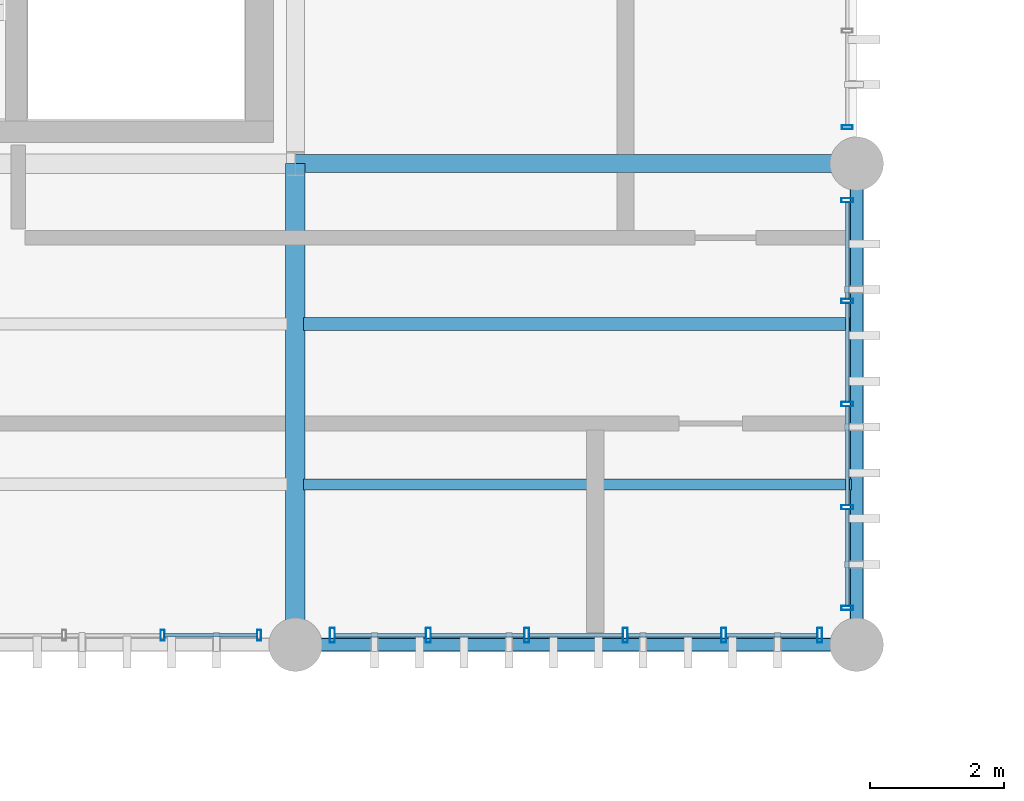
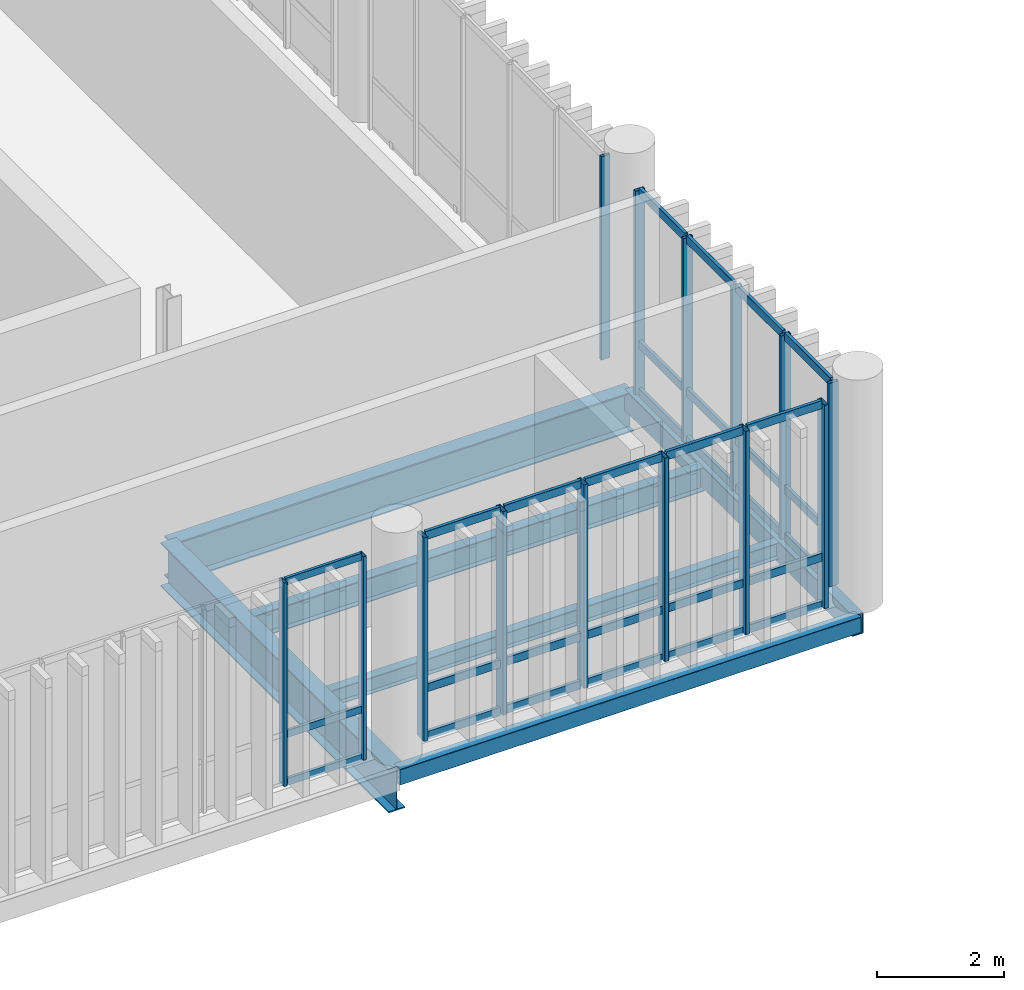
# One storey, part 30 of 68: 44 members, 6 beams, 4 elements without a shape of their own.
"""IFC4 building model written with IfcOpenShell, lengths in metres."""

from ifc_helpers import new_model, si_unit, direction, frame, origin_with_axes, origin_2d_with_axis, place, context, subcontext, project, spatial, hollow_rectangle, i_section, extrude, material, material_profile, profile_set, type_object, element, aggregate, save


model = new_model("IFC4")

# Units and contexts
model_context = context("Model", 3, precision=1e-05, world=origin_with_axes(), true_north=direction((0.0, 1.0)))
body_context = subcontext(model_context, "Body", "Model", "MODEL_VIEW")
ifc_project = project(units=[si_unit("LENGTHUNIT", "METRE"), si_unit("AREAUNIT", "SQUARE_METRE"), si_unit("VOLUMEUNIT", "CUBIC_METRE"), si_unit("PLANEANGLEUNIT", "RADIAN"), si_unit("MASSUNIT", "GRAM", prefix="KILO"), si_unit("THERMODYNAMICTEMPERATUREUNIT", "KELVIN")], contexts=[model_context])

# Site, building, storey
site_placement = place(None, origin_with_axes())
site = spatial("IfcSite", under=ifc_project, at=site_placement, CompositionType="ELEMENT")
building_placement = place(site_placement, origin_with_axes())
building = spatial("IfcBuilding", under=site, at=building_placement, Name="Montbau Bow Law Courts", CompositionType="ELEMENT")
storey_placement = place(building_placement, frame((0.0, 0.0, 20.4), z_axis=(0.0, 0.0, 1.0), x_axis=(1.0, 0.0, 0.0)))
storey = spatial("IfcBuildingStorey", under=building, at=storey_placement, Name="L04", CompositionType="ELEMENT", Elevation=20.4)

# Beams
ifc_material_1 = material(Name="Steel CSA G40.21 Grade 350W (350 MPa)", Category="steel")
ifc_material_profile_1 = material_profile(ifc_material_1, i_section(OverallWidth=0.293, OverallDepth=0.846, WebThickness=0.0154, FlangeThickness=0.0244, at=origin_2d_with_axis()), Name="W840X210", Category="Main", Priority=0)
ifc_profile_set_1 = profile_set([ifc_material_profile_1], Name="Steel CSA G40.21 Grade 350W (350 MPa)")
beam_type_1 = type_object("IfcBeamType", Name="B-FLR-02", PredefinedType="BEAM", material=ifc_profile_set_1)
beam_1_placement = place(None, frame((88.8, 39.0, 19.697), z_axis=(0.0, 1.0, 0.0), x_axis=(-1.0, 0.0, 0.0)))
element("IfcBeam", 1, at=beam_1_placement, inside=storey, type_object=beam_type_1, Name="BM-L04-S0951:bm2_0954", PredefinedType="BEAM", context=body_context, shape_type="SweptSolid", body=[
    extrude(i_section(OverallWidth=0.293, OverallDepth=0.846, WebThickness=0.0154, FlangeThickness=0.0244, at=origin_2d_with_axis()), origin_with_axes(), (0.0, 0.0, 1.0), 7.2),
])
ifc_material_profile_2 = material_profile(ifc_material_1, i_section(OverallWidth=0.267, OverallDepth=0.766, WebThickness=0.0149, FlangeThickness=0.0236, at=origin_2d_with_axis()), Name="W760X185", Category="Main", Priority=0)
ifc_profile_set_2 = profile_set([ifc_material_profile_2], Name="Steel CSA G40.21 Grade 350W (350 MPa)")
beam_type_2 = type_object("IfcBeamType", Name="B-FLR-03", PredefinedType="BEAM", material=ifc_profile_set_2)
beam_2_placement = place(None, frame((88.8, 46.2, 19.737), z_axis=(1.0, 0.0, 0.0), x_axis=(0.0, 1.0, 0.0)))
element("IfcBeam", 2, at=beam_2_placement, inside=storey, type_object=beam_type_2, Name="BM-L04-S0926:bm2_0929", PredefinedType="BEAM", context=body_context, shape_type="SweptSolid", body=[
    extrude(i_section(OverallWidth=0.267, OverallDepth=0.766, WebThickness=0.0149, FlangeThickness=0.0236, at=origin_2d_with_axis()), origin_with_axes(), (0.0, 0.0, 1.0), 8.4),
])
ifc_material_profile_3 = material_profile(ifc_material_1, i_section(OverallWidth=0.191, OverallDepth=0.46, WebThickness=0.0099, FlangeThickness=0.016, at=origin_2d_with_axis()), Name="W460X82", Category="Main", Priority=0)
ifc_profile_set_3 = profile_set([ifc_material_profile_3], Name="Steel CSA G40.21 Grade 350W (350 MPa)")
beam_type_3 = type_object("IfcBeamType", Name="B-JST-01", PredefinedType="JOIST", material=ifc_profile_set_3)
beam_3_placement = place(None, frame((88.922, 43.8, 19.89), z_axis=(1.0, 0.0, 0.0), x_axis=(0.0, 1.0, 0.0)))
element("IfcBeam", 3, at=beam_3_placement, inside=storey, type_object=beam_type_3, Name="JST-L04-S0492:jst2_0492", PredefinedType="JOIST", context=body_context, shape_type="SweptSolid", body=[
    extrude(i_section(OverallWidth=0.191, OverallDepth=0.46, WebThickness=0.0099, FlangeThickness=0.016, at=origin_2d_with_axis()), origin_with_axes(), (0.0, 0.0, 1.0), 8.198),
])
ifc_material_profile_4 = material_profile(ifc_material_1, i_section(OverallWidth=0.166, OverallDepth=0.313, WebThickness=0.0066, FlangeThickness=0.0112, at=origin_2d_with_axis()), Name="W310X45", Category="Main", Priority=0)
ifc_profile_set_4 = profile_set([ifc_material_profile_4], Name="Steel CSA G40.21 Grade 350W (350 MPa)")
beam_type_4 = type_object("IfcBeamType", Name="B-JST-04", PredefinedType="JOIST", material=ifc_profile_set_4)
beam_4_placement = place(None, frame((88.922, 41.4, 19.963), z_axis=(1.0, 0.0, 0.0), x_axis=(0.0, 1.0, 0.0)))
element("IfcBeam", 4, at=beam_4_placement, inside=storey, type_object=beam_type_4, Name="JST-L04-S0491:jst2_0491", PredefinedType="JOIST", context=body_context, shape_type="SweptSolid", body=[
    extrude(i_section(OverallWidth=0.166, OverallDepth=0.313, WebThickness=0.0066, FlangeThickness=0.0112, at=origin_2d_with_axis()), origin_with_axes(), (0.0, 0.0, 1.0), 8.198),
])
ifc_material_2 = material(Name="Steel CSA G40.21 Grade 350WT (350 MPa)", Category="steel")
ifc_material_profile_5 = material_profile(ifc_material_2, hollow_rectangle(XDim=0.203, YDim=0.406, WallThickness=0.0127, InnerFilletRadius=0.0254, OuterFilletRadius=0.0127, at=origin_2d_with_axis()), Name="HSS406X203X13", Category="Main", Priority=0)
ifc_profile_set_5 = profile_set([ifc_material_profile_5], Name="Steel CSA G40.21 Grade 350WT (350 MPa)")
beam_type_5 = type_object("IfcBeamType", Name="B-SPN-01", PredefinedType="SPANDREL", material=ifc_profile_set_5)
beam_5_placement = place(None, frame((97.2, 39.0, 19.917), z_axis=(0.0, 1.0, 0.0), x_axis=(-1.0, 0.0, 0.0)))
element("IfcBeam", 5, at=beam_5_placement, inside=storey, type_object=beam_type_5, Name="SPN-L04-S0954:bm2_0957", PredefinedType="SPANDREL", context=body_context, shape_type="SweptSolid", body=[
    extrude(hollow_rectangle(XDim=0.203, YDim=0.406, WallThickness=0.0127, InnerFilletRadius=0.0254, OuterFilletRadius=0.0127, at=origin_2d_with_axis()), origin_with_axes(), (0.0, 0.0, 1.0), 7.2),
])
ifc_material_profile_6 = material_profile(ifc_material_2, hollow_rectangle(XDim=0.203, YDim=0.305, WallThickness=0.0127, InnerFilletRadius=0.0254, OuterFilletRadius=0.0127, at=origin_2d_with_axis()), Name="HSS305X203X13", Category="Main", Priority=0)
ifc_profile_set_6 = profile_set([ifc_material_profile_6], Name="Steel CSA G40.21 Grade 350WT (350 MPa)")
beam_type_6 = type_object("IfcBeamType", Name="B-SPN-02", PredefinedType="SPANDREL", material=ifc_profile_set_6)
beam_6_placement = place(None, frame((88.8, 39.0, 19.968), z_axis=(1.0, 0.0, 0.0), x_axis=(0.0, 1.0, 0.0)))
element("IfcBeam", 6, at=beam_6_placement, inside=storey, type_object=beam_type_6, Name="SPN-L04-S0920:bm2_0923", PredefinedType="SPANDREL", context=body_context, shape_type="SweptSolid", body=[
    extrude(hollow_rectangle(XDim=0.203, YDim=0.305, WallThickness=0.0127, InnerFilletRadius=0.0254, OuterFilletRadius=0.0127, at=origin_2d_with_axis()), origin_with_axes(), (0.0, 0.0, 1.0), 8.4),
])

# Curtain wall, members
ifc_material_3 = material(Name="Thermally Broken Extruded Aluminium AA 6063-T6", Category="aluminium")
curtain_wall_type = type_object("IfcCurtainWallType", Name="CW-CRM-01", PredefinedType="NOTDEFINED", material=ifc_material_3)
curtain_wall_1_placement = place(None, frame((89.315, 39.14, 20.4), z_axis=(0.0, 0.0, 1.0), x_axis=(1.0, 0.0, 0.0)))
curtain_wall_1 = element("IfcCurtainWall", 7, at=curtain_wall_1_placement, inside=storey, type_object=curtain_wall_type, Name="CW-L04-198:cw_0198", PredefinedType="NOTDEFINED")
ifc_material_profile_7 = material_profile(ifc_material_3, hollow_rectangle(XDim=0.075, YDim=0.22, WallThickness=0.005, InnerFilletRadius=0.01, OuterFilletRadius=0.005, at=origin_2d_with_axis()), Name="CWM-220X75", Category="Main", Priority=0)
ifc_profile_set_7 = profile_set([ifc_material_profile_7], Name="Thermally Broken Extruded Aluminium AA 6063-T6")
member_type_1 = type_object("IfcMemberType", Name="M-MUL-01", PredefinedType="MULLION", material=ifc_profile_set_7)
member_1_placement = place(None, frame((89.352, 39.14, 20.4), z_axis=(0.0, 0.0, 1.0), x_axis=(1.0, 0.0, 0.0)))
member_1 = element("IfcMember", 8, at=member_1_placement, type_object=member_type_1, Name="CW-L04-198-M01:cw_0198_M01", PredefinedType="MULLION", context=body_context, shape_type="SweptSolid", body=[
    extrude(hollow_rectangle(XDim=0.075, YDim=0.22, WallThickness=0.005, InnerFilletRadius=0.01, OuterFilletRadius=0.005, at=origin_2d_with_axis()), origin_with_axes(), (0.0, 0.0, 1.0), 3.92),
])
member_2_placement = place(None, frame((90.789, 39.14, 20.4), z_axis=(0.0, 0.0, 1.0), x_axis=(1.0, 0.0, 0.0)))
member_2 = element("IfcMember", 9, at=member_2_placement, type_object=member_type_1, Name="CW-L04-198-M02:cw_0198_M02", PredefinedType="MULLION", context=body_context, shape_type="SweptSolid", body=[
    extrude(hollow_rectangle(XDim=0.075, YDim=0.22, WallThickness=0.005, InnerFilletRadius=0.01, OuterFilletRadius=0.005, at=origin_2d_with_axis()), origin_with_axes(), (0.0, 0.0, 1.0), 3.92),
])
member_3_placement = place(None, frame((92.263, 39.14, 20.4), z_axis=(0.0, 0.0, 1.0), x_axis=(1.0, 0.0, 0.0)))
member_3 = element("IfcMember", 10, at=member_3_placement, type_object=member_type_1, Name="CW-L04-198-M03:cw_0198_M03", PredefinedType="MULLION", context=body_context, shape_type="SweptSolid", body=[
    extrude(hollow_rectangle(XDim=0.075, YDim=0.22, WallThickness=0.005, InnerFilletRadius=0.01, OuterFilletRadius=0.005, at=origin_2d_with_axis()), origin_with_axes(), (0.0, 0.0, 1.0), 3.92),
])
member_4_placement = place(None, frame((93.737, 39.14, 20.4), z_axis=(0.0, 0.0, 1.0), x_axis=(1.0, 0.0, 0.0)))
member_4 = element("IfcMember", 11, at=member_4_placement, type_object=member_type_1, Name="CW-L04-198-M04:cw_0198_M04", PredefinedType="MULLION", context=body_context, shape_type="SweptSolid", body=[
    extrude(hollow_rectangle(XDim=0.075, YDim=0.22, WallThickness=0.005, InnerFilletRadius=0.01, OuterFilletRadius=0.005, at=origin_2d_with_axis()), origin_with_axes(), (0.0, 0.0, 1.0), 3.92),
])
member_5_placement = place(None, frame((95.211, 39.14, 20.4), z_axis=(0.0, 0.0, 1.0), x_axis=(1.0, 0.0, 0.0)))
member_5 = element("IfcMember", 12, at=member_5_placement, type_object=member_type_1, Name="CW-L04-198-M05:cw_0198_M05", PredefinedType="MULLION", context=body_context, shape_type="SweptSolid", body=[
    extrude(hollow_rectangle(XDim=0.075, YDim=0.22, WallThickness=0.005, InnerFilletRadius=0.01, OuterFilletRadius=0.005, at=origin_2d_with_axis()), origin_with_axes(), (0.0, 0.0, 1.0), 3.92),
])
member_6_placement = place(None, frame((96.648, 39.14, 20.4), z_axis=(0.0, 0.0, 1.0), x_axis=(1.0, 0.0, 0.0)))
member_6 = element("IfcMember", 13, at=member_6_placement, type_object=member_type_1, Name="CW-L04-198-M06:cw_0198_M06", PredefinedType="MULLION", context=body_context, shape_type="SweptSolid", body=[
    extrude(hollow_rectangle(XDim=0.075, YDim=0.22, WallThickness=0.005, InnerFilletRadius=0.01, OuterFilletRadius=0.005, at=origin_2d_with_axis()), origin_with_axes(), (0.0, 0.0, 1.0), 3.92),
])

curtain_wall_2_placement = place(None, frame((97.06, 39.515, 20.4), z_axis=(0.0, 0.0, 1.0), x_axis=(1.0, 0.0, 0.0)))
curtain_wall_2 = element("IfcCurtainWall", 14, at=curtain_wall_2_placement, inside=storey, type_object=curtain_wall_type, Name="CW-L04-208:cw_0208", PredefinedType="NOTDEFINED")
ifc_material_profile_8 = material_profile(ifc_material_3, hollow_rectangle(XDim=0.065, YDim=0.18, WallThickness=0.005, InnerFilletRadius=0.01, OuterFilletRadius=0.005, at=origin_2d_with_axis()), Name="CWM-180X65", Category="Main", Priority=0)
ifc_profile_set_8 = profile_set([ifc_material_profile_8], Name="Thermally Broken Extruded Aluminium AA 6063-T6")
member_type_2 = type_object("IfcMemberType", Name="M-MUL-02", PredefinedType="MULLION", material=ifc_profile_set_8)
member_7_placement = place(None, frame((97.06, 39.548, 20.4), z_axis=(0.0, 0.0, 1.0), x_axis=(0.0, 1.0, 0.0)))
member_7 = element("IfcMember", 15, at=member_7_placement, type_object=member_type_2, Name="CW-L04-208-M01:cw_0208_M01", PredefinedType="MULLION", context=body_context, shape_type="SweptSolid", body=[
    extrude(hollow_rectangle(XDim=0.065, YDim=0.18, WallThickness=0.005, InnerFilletRadius=0.01, OuterFilletRadius=0.005, at=origin_2d_with_axis()), origin_with_axes(), (0.0, 0.0, 1.0), 3.92),
])
member_8_placement = place(None, frame((97.06, 41.058, 20.4), z_axis=(0.0, 0.0, 1.0), x_axis=(0.0, 1.0, 0.0)))
member_8 = element("IfcMember", 16, at=member_8_placement, type_object=member_type_2, Name="CW-L04-208-M02:cw_0208_M02", PredefinedType="MULLION", context=body_context, shape_type="SweptSolid", body=[
    extrude(hollow_rectangle(XDim=0.065, YDim=0.18, WallThickness=0.005, InnerFilletRadius=0.01, OuterFilletRadius=0.005, at=origin_2d_with_axis()), origin_with_axes(), (0.0, 0.0, 1.0), 3.92),
])
member_9_placement = place(None, frame((97.06, 42.6, 20.4), z_axis=(0.0, 0.0, 1.0), x_axis=(0.0, 1.0, 0.0)))
member_9 = element("IfcMember", 17, at=member_9_placement, type_object=member_type_2, Name="CW-L04-208-M03:cw_0208_M03", PredefinedType="MULLION", context=body_context, shape_type="SweptSolid", body=[
    extrude(hollow_rectangle(XDim=0.065, YDim=0.18, WallThickness=0.005, InnerFilletRadius=0.01, OuterFilletRadius=0.005, at=origin_2d_with_axis()), origin_with_axes(), (0.0, 0.0, 1.0), 3.92),
])
member_10_placement = place(None, frame((97.06, 44.143, 20.4), z_axis=(0.0, 0.0, 1.0), x_axis=(0.0, 1.0, 0.0)))
member_10 = element("IfcMember", 18, at=member_10_placement, type_object=member_type_2, Name="CW-L04-208-M04:cw_0208_M04", PredefinedType="MULLION", context=body_context, shape_type="SweptSolid", body=[
    extrude(hollow_rectangle(XDim=0.065, YDim=0.18, WallThickness=0.005, InnerFilletRadius=0.01, OuterFilletRadius=0.005, at=origin_2d_with_axis()), origin_with_axes(), (0.0, 0.0, 1.0), 3.92),
])
member_11_placement = place(None, frame((97.06, 45.653, 20.4), z_axis=(0.0, 0.0, 1.0), x_axis=(0.0, 1.0, 0.0)))
member_11 = element("IfcMember", 19, at=member_11_placement, type_object=member_type_2, Name="CW-L04-208-M05:cw_0208_M05", PredefinedType="MULLION", context=body_context, shape_type="SweptSolid", body=[
    extrude(hollow_rectangle(XDim=0.065, YDim=0.18, WallThickness=0.005, InnerFilletRadius=0.01, OuterFilletRadius=0.005, at=origin_2d_with_axis()), origin_with_axes(), (0.0, 0.0, 1.0), 3.92),
])

curtain_wall_3_placement = place(None, frame((80.915, 39.14, 20.4), z_axis=(0.0, 0.0, 1.0), x_axis=(1.0, 0.0, 0.0)))
curtain_wall_3 = element("IfcCurtainWall", 20, at=curtain_wall_3_placement, inside=storey, type_object=curtain_wall_type, Name="CW-L04-197:cw_0197", PredefinedType="NOTDEFINED")
ifc_material_profile_9 = material_profile(ifc_material_3, hollow_rectangle(XDim=0.06, YDim=0.16, WallThickness=0.004, InnerFilletRadius=0.008, OuterFilletRadius=0.004, at=origin_2d_with_axis()), Name="CWM-160X60", Category="Main", Priority=0)
ifc_profile_set_9 = profile_set([ifc_material_profile_9], Name="Thermally Broken Extruded Aluminium AA 6063-T6")
member_type_3 = type_object("IfcMemberType", Name="M-MUL-03", PredefinedType="MULLION", material=ifc_profile_set_9)
member_12_placement = place(None, frame((86.811, 39.14, 20.4), z_axis=(0.0, 0.0, 1.0), x_axis=(1.0, 0.0, 0.0)))
member_12 = element("IfcMember", 21, at=member_12_placement, type_object=member_type_3, Name="CW-L04-197-M05:cw_0197_M05", PredefinedType="MULLION", context=body_context, shape_type="SweptSolid", body=[
    extrude(hollow_rectangle(XDim=0.06, YDim=0.16, WallThickness=0.004, InnerFilletRadius=0.008, OuterFilletRadius=0.004, at=origin_2d_with_axis()), origin_with_axes(), (0.0, 0.0, 1.0), 3.92),
])
member_13_placement = place(None, frame((88.255, 39.14, 20.4), z_axis=(0.0, 0.0, 1.0), x_axis=(1.0, 0.0, 0.0)))
member_13 = element("IfcMember", 22, at=member_13_placement, type_object=member_type_3, Name="CW-L04-197-M06:cw_0197_M06", PredefinedType="MULLION", context=body_context, shape_type="SweptSolid", body=[
    extrude(hollow_rectangle(XDim=0.06, YDim=0.16, WallThickness=0.004, InnerFilletRadius=0.008, OuterFilletRadius=0.004, at=origin_2d_with_axis()), origin_with_axes(), (0.0, 0.0, 1.0), 3.92),
])

# Curtain wall, member
curtain_wall_4_placement = place(None, frame((97.06, 46.715, 20.4), z_axis=(0.0, 0.0, 1.0), x_axis=(1.0, 0.0, 0.0)))
curtain_wall_4 = element("IfcCurtainWall", 23, at=curtain_wall_4_placement, inside=storey, type_object=curtain_wall_type, Name="CW-L04-209:cw_0209", PredefinedType="NOTDEFINED")
member_14_placement = place(None, frame((97.06, 46.745, 20.4), z_axis=(0.0, 0.0, 1.0), x_axis=(0.0, 1.0, 0.0)))
member_14 = element("IfcMember", 24, at=member_14_placement, type_object=member_type_3, Name="CW-L04-209-M01:cw_0209_M01", PredefinedType="MULLION", context=body_context, shape_type="SweptSolid", body=[
    extrude(hollow_rectangle(XDim=0.06, YDim=0.16, WallThickness=0.004, InnerFilletRadius=0.008, OuterFilletRadius=0.004, at=origin_2d_with_axis()), origin_with_axes(), (0.0, 0.0, 1.0), 3.92),
])
aggregate(curtain_wall_4, [member_14])

# Member
ifc_material_profile_10 = material_profile(ifc_material_3, hollow_rectangle(XDim=0.06, YDim=0.16, WallThickness=0.004, InnerFilletRadius=0.008, OuterFilletRadius=0.004, at=origin_2d_with_axis()), Name="CWT-160X60", Category="Main", Priority=0)
ifc_profile_set_10 = profile_set([ifc_material_profile_10], Name="Thermally Broken Extruded Aluminium AA 6063-T6")
member_type_4 = type_object("IfcMemberType", Name="M-TRN-01", PredefinedType="USERDEFINED", material=ifc_profile_set_10)
member_15_placement = place(None, frame((89.391, 39.14, 20.43), z_axis=(1.0, 0.0, 0.0), x_axis=(0.0, 1.0, 0.0)))
member_15 = element("IfcMember", 25, at=member_15_placement, type_object=member_type_4, Name="CW-L04-198-T01-1:cw_0198_T01_1", ObjectType="TRANSOM", PredefinedType="USERDEFINED", context=body_context, shape_type="SweptSolid", body=[
    extrude(hollow_rectangle(XDim=0.06, YDim=0.16, WallThickness=0.004, InnerFilletRadius=0.008, OuterFilletRadius=0.004, at=origin_2d_with_axis()), origin_with_axes(), (0.0, 0.0, 1.0), 1.358),
])

member_16_placement = place(None, frame((89.391, 39.14, 21.35), z_axis=(1.0, 0.0, 0.0), x_axis=(0.0, 1.0, 0.0)))
member_16 = element("IfcMember", 26, at=member_16_placement, type_object=member_type_4, Name="CW-L04-198-T01-2:cw_0198_T01_2", ObjectType="TRANSOM", PredefinedType="USERDEFINED", context=body_context, shape_type="SweptSolid", body=[
    extrude(hollow_rectangle(XDim=0.06, YDim=0.16, WallThickness=0.004, InnerFilletRadius=0.008, OuterFilletRadius=0.004, at=origin_2d_with_axis()), origin_with_axes(), (0.0, 0.0, 1.0), 1.358),
])

member_17_placement = place(None, frame((89.391, 39.14, 24.29), z_axis=(1.0, 0.0, 0.0), x_axis=(0.0, 1.0, 0.0)))
member_17 = element("IfcMember", 27, at=member_17_placement, type_object=member_type_4, Name="CW-L04-198-T01-3:cw_0198_T01_3", ObjectType="TRANSOM", PredefinedType="USERDEFINED", context=body_context, shape_type="SweptSolid", body=[
    extrude(hollow_rectangle(XDim=0.06, YDim=0.16, WallThickness=0.004, InnerFilletRadius=0.008, OuterFilletRadius=0.004, at=origin_2d_with_axis()), origin_with_axes(), (0.0, 0.0, 1.0), 1.358),
])

member_18_placement = place(None, frame((90.829, 39.14, 20.43), z_axis=(1.0, 0.0, 0.0), x_axis=(0.0, 1.0, 0.0)))
member_18 = element("IfcMember", 28, at=member_18_placement, type_object=member_type_4, Name="CW-L04-198-T02-1:cw_0198_T02_1", ObjectType="TRANSOM", PredefinedType="USERDEFINED", context=body_context, shape_type="SweptSolid", body=[
    extrude(hollow_rectangle(XDim=0.06, YDim=0.16, WallThickness=0.004, InnerFilletRadius=0.008, OuterFilletRadius=0.004, at=origin_2d_with_axis()), origin_with_axes(), (0.0, 0.0, 1.0), 1.395),
])

member_19_placement = place(None, frame((90.829, 39.14, 21.35), z_axis=(1.0, 0.0, 0.0), x_axis=(0.0, 1.0, 0.0)))
member_19 = element("IfcMember", 29, at=member_19_placement, type_object=member_type_4, Name="CW-L04-198-T02-2:cw_0198_T02_2", ObjectType="TRANSOM", PredefinedType="USERDEFINED", context=body_context, shape_type="SweptSolid", body=[
    extrude(hollow_rectangle(XDim=0.06, YDim=0.16, WallThickness=0.004, InnerFilletRadius=0.008, OuterFilletRadius=0.004, at=origin_2d_with_axis()), origin_with_axes(), (0.0, 0.0, 1.0), 1.395),
])

member_20_placement = place(None, frame((90.829, 39.14, 24.29), z_axis=(1.0, 0.0, 0.0), x_axis=(0.0, 1.0, 0.0)))
member_20 = element("IfcMember", 30, at=member_20_placement, type_object=member_type_4, Name="CW-L04-198-T02-3:cw_0198_T02_3", ObjectType="TRANSOM", PredefinedType="USERDEFINED", context=body_context, shape_type="SweptSolid", body=[
    extrude(hollow_rectangle(XDim=0.06, YDim=0.16, WallThickness=0.004, InnerFilletRadius=0.008, OuterFilletRadius=0.004, at=origin_2d_with_axis()), origin_with_axes(), (0.0, 0.0, 1.0), 1.395),
])

member_21_placement = place(None, frame((92.302, 39.14, 20.43), z_axis=(1.0, 0.0, 0.0), x_axis=(0.0, 1.0, 0.0)))
member_21 = element("IfcMember", 31, at=member_21_placement, type_object=member_type_4, Name="CW-L04-198-T03-1:cw_0198_T03_1", ObjectType="TRANSOM", PredefinedType="USERDEFINED", context=body_context, shape_type="SweptSolid", body=[
    extrude(hollow_rectangle(XDim=0.06, YDim=0.16, WallThickness=0.004, InnerFilletRadius=0.008, OuterFilletRadius=0.004, at=origin_2d_with_axis()), origin_with_axes(), (0.0, 0.0, 1.0), 1.396),
])

member_22_placement = place(None, frame((92.302, 39.14, 21.35), z_axis=(1.0, 0.0, 0.0), x_axis=(0.0, 1.0, 0.0)))
member_22 = element("IfcMember", 32, at=member_22_placement, type_object=member_type_4, Name="CW-L04-198-T03-2:cw_0198_T03_2", ObjectType="TRANSOM", PredefinedType="USERDEFINED", context=body_context, shape_type="SweptSolid", body=[
    extrude(hollow_rectangle(XDim=0.06, YDim=0.16, WallThickness=0.004, InnerFilletRadius=0.008, OuterFilletRadius=0.004, at=origin_2d_with_axis()), origin_with_axes(), (0.0, 0.0, 1.0), 1.396),
])

member_23_placement = place(None, frame((92.302, 39.14, 24.29), z_axis=(1.0, 0.0, 0.0), x_axis=(0.0, 1.0, 0.0)))
member_23 = element("IfcMember", 33, at=member_23_placement, type_object=member_type_4, Name="CW-L04-198-T03-3:cw_0198_T03_3", ObjectType="TRANSOM", PredefinedType="USERDEFINED", context=body_context, shape_type="SweptSolid", body=[
    extrude(hollow_rectangle(XDim=0.06, YDim=0.16, WallThickness=0.004, InnerFilletRadius=0.008, OuterFilletRadius=0.004, at=origin_2d_with_axis()), origin_with_axes(), (0.0, 0.0, 1.0), 1.396),
])

member_24_placement = place(None, frame((93.776, 39.14, 20.43), z_axis=(1.0, 0.0, 0.0), x_axis=(0.0, 1.0, 0.0)))
member_24 = element("IfcMember", 34, at=member_24_placement, type_object=member_type_4, Name="CW-L04-198-T04-1:cw_0198_T04_1", ObjectType="TRANSOM", PredefinedType="USERDEFINED", context=body_context, shape_type="SweptSolid", body=[
    extrude(hollow_rectangle(XDim=0.06, YDim=0.16, WallThickness=0.004, InnerFilletRadius=0.008, OuterFilletRadius=0.004, at=origin_2d_with_axis()), origin_with_axes(), (0.0, 0.0, 1.0), 1.396),
])

member_25_placement = place(None, frame((93.776, 39.14, 21.35), z_axis=(1.0, 0.0, 0.0), x_axis=(0.0, 1.0, 0.0)))
member_25 = element("IfcMember", 35, at=member_25_placement, type_object=member_type_4, Name="CW-L04-198-T04-2:cw_0198_T04_2", ObjectType="TRANSOM", PredefinedType="USERDEFINED", context=body_context, shape_type="SweptSolid", body=[
    extrude(hollow_rectangle(XDim=0.06, YDim=0.16, WallThickness=0.004, InnerFilletRadius=0.008, OuterFilletRadius=0.004, at=origin_2d_with_axis()), origin_with_axes(), (0.0, 0.0, 1.0), 1.396),
])

member_26_placement = place(None, frame((93.776, 39.14, 24.29), z_axis=(1.0, 0.0, 0.0), x_axis=(0.0, 1.0, 0.0)))
member_26 = element("IfcMember", 36, at=member_26_placement, type_object=member_type_4, Name="CW-L04-198-T04-3:cw_0198_T04_3", ObjectType="TRANSOM", PredefinedType="USERDEFINED", context=body_context, shape_type="SweptSolid", body=[
    extrude(hollow_rectangle(XDim=0.06, YDim=0.16, WallThickness=0.004, InnerFilletRadius=0.008, OuterFilletRadius=0.004, at=origin_2d_with_axis()), origin_with_axes(), (0.0, 0.0, 1.0), 1.396),
])

member_27_placement = place(None, frame((95.25, 39.14, 20.43), z_axis=(1.0, 0.0, 0.0), x_axis=(0.0, 1.0, 0.0)))
member_27 = element("IfcMember", 37, at=member_27_placement, type_object=member_type_4, Name="CW-L04-198-T05-1:cw_0198_T05_1", ObjectType="TRANSOM", PredefinedType="USERDEFINED", context=body_context, shape_type="SweptSolid", body=[
    extrude(hollow_rectangle(XDim=0.06, YDim=0.16, WallThickness=0.004, InnerFilletRadius=0.008, OuterFilletRadius=0.004, at=origin_2d_with_axis()), origin_with_axes(), (0.0, 0.0, 1.0), 1.359),
])

member_28_placement = place(None, frame((95.25, 39.14, 21.35), z_axis=(1.0, 0.0, 0.0), x_axis=(0.0, 1.0, 0.0)))
member_28 = element("IfcMember", 38, at=member_28_placement, type_object=member_type_4, Name="CW-L04-198-T05-2:cw_0198_T05_2", ObjectType="TRANSOM", PredefinedType="USERDEFINED", context=body_context, shape_type="SweptSolid", body=[
    extrude(hollow_rectangle(XDim=0.06, YDim=0.16, WallThickness=0.004, InnerFilletRadius=0.008, OuterFilletRadius=0.004, at=origin_2d_with_axis()), origin_with_axes(), (0.0, 0.0, 1.0), 1.359),
])

member_29_placement = place(None, frame((95.25, 39.14, 24.29), z_axis=(1.0, 0.0, 0.0), x_axis=(0.0, 1.0, 0.0)))
member_29 = element("IfcMember", 39, at=member_29_placement, type_object=member_type_4, Name="CW-L04-198-T05-3:cw_0198_T05_3", ObjectType="TRANSOM", PredefinedType="USERDEFINED", context=body_context, shape_type="SweptSolid", body=[
    extrude(hollow_rectangle(XDim=0.06, YDim=0.16, WallThickness=0.004, InnerFilletRadius=0.008, OuterFilletRadius=0.004, at=origin_2d_with_axis()), origin_with_axes(), (0.0, 0.0, 1.0), 1.359),
])

aggregate(curtain_wall_1, [member_1, member_2, member_3, member_4, member_5, member_6, member_15, member_16, member_17, member_18, member_19, member_20, member_21, member_22, member_23, member_24, member_25, member_26, member_27, member_28, member_29])

member_30_placement = place(None, frame((97.06, 39.583, 20.43), z_axis=(0.0, 1.0, 0.0), x_axis=(-1.0, 0.0, 0.0)))
member_30 = element("IfcMember", 40, at=member_30_placement, type_object=member_type_4, Name="CW-L04-208-T01-1:cw_0208_T01_1", ObjectType="TRANSOM", PredefinedType="USERDEFINED", context=body_context, shape_type="SweptSolid", body=[
    extrude(hollow_rectangle(XDim=0.06, YDim=0.16, WallThickness=0.004, InnerFilletRadius=0.008, OuterFilletRadius=0.004, at=origin_2d_with_axis()), origin_with_axes(), (0.0, 0.0, 1.0), 1.44),
])

member_31_placement = place(None, frame((97.06, 39.583, 21.35), z_axis=(0.0, 1.0, 0.0), x_axis=(-1.0, 0.0, 0.0)))
member_31 = element("IfcMember", 41, at=member_31_placement, type_object=member_type_4, Name="CW-L04-208-T01-2:cw_0208_T01_2", ObjectType="TRANSOM", PredefinedType="USERDEFINED", context=body_context, shape_type="SweptSolid", body=[
    extrude(hollow_rectangle(XDim=0.06, YDim=0.16, WallThickness=0.004, InnerFilletRadius=0.008, OuterFilletRadius=0.004, at=origin_2d_with_axis()), origin_with_axes(), (0.0, 0.0, 1.0), 1.44),
])

member_32_placement = place(None, frame((97.06, 39.583, 24.29), z_axis=(0.0, 1.0, 0.0), x_axis=(-1.0, 0.0, 0.0)))
member_32 = element("IfcMember", 42, at=member_32_placement, type_object=member_type_4, Name="CW-L04-208-T01-3:cw_0208_T01_3", ObjectType="TRANSOM", PredefinedType="USERDEFINED", context=body_context, shape_type="SweptSolid", body=[
    extrude(hollow_rectangle(XDim=0.06, YDim=0.16, WallThickness=0.004, InnerFilletRadius=0.008, OuterFilletRadius=0.004, at=origin_2d_with_axis()), origin_with_axes(), (0.0, 0.0, 1.0), 1.44),
])

member_33_placement = place(None, frame((97.06, 41.092, 20.43), z_axis=(0.0, 1.0, 0.0), x_axis=(-1.0, 0.0, 0.0)))
member_33 = element("IfcMember", 43, at=member_33_placement, type_object=member_type_4, Name="CW-L04-208-T02-1:cw_0208_T02_1", ObjectType="TRANSOM", PredefinedType="USERDEFINED", context=body_context, shape_type="SweptSolid", body=[
    extrude(hollow_rectangle(XDim=0.06, YDim=0.16, WallThickness=0.004, InnerFilletRadius=0.008, OuterFilletRadius=0.004, at=origin_2d_with_axis()), origin_with_axes(), (0.0, 0.0, 1.0), 1.473),
])

member_34_placement = place(None, frame((97.06, 41.092, 21.35), z_axis=(0.0, 1.0, 0.0), x_axis=(-1.0, 0.0, 0.0)))
member_34 = element("IfcMember", 44, at=member_34_placement, type_object=member_type_4, Name="CW-L04-208-T02-2:cw_0208_T02_2", ObjectType="TRANSOM", PredefinedType="USERDEFINED", context=body_context, shape_type="SweptSolid", body=[
    extrude(hollow_rectangle(XDim=0.06, YDim=0.16, WallThickness=0.004, InnerFilletRadius=0.008, OuterFilletRadius=0.004, at=origin_2d_with_axis()), origin_with_axes(), (0.0, 0.0, 1.0), 1.473),
])

member_35_placement = place(None, frame((97.06, 41.092, 24.29), z_axis=(0.0, 1.0, 0.0), x_axis=(-1.0, 0.0, 0.0)))
member_35 = element("IfcMember", 45, at=member_35_placement, type_object=member_type_4, Name="CW-L04-208-T02-3:cw_0208_T02_3", ObjectType="TRANSOM", PredefinedType="USERDEFINED", context=body_context, shape_type="SweptSolid", body=[
    extrude(hollow_rectangle(XDim=0.06, YDim=0.16, WallThickness=0.004, InnerFilletRadius=0.008, OuterFilletRadius=0.004, at=origin_2d_with_axis()), origin_with_axes(), (0.0, 0.0, 1.0), 1.473),
])

member_36_placement = place(None, frame((97.06, 42.634, 20.43), z_axis=(0.0, 1.0, 0.0), x_axis=(-1.0, 0.0, 0.0)))
member_36 = element("IfcMember", 46, at=member_36_placement, type_object=member_type_4, Name="CW-L04-208-T03-1:cw_0208_T03_1", ObjectType="TRANSOM", PredefinedType="USERDEFINED", context=body_context, shape_type="SweptSolid", body=[
    extrude(hollow_rectangle(XDim=0.06, YDim=0.16, WallThickness=0.004, InnerFilletRadius=0.008, OuterFilletRadius=0.004, at=origin_2d_with_axis()), origin_with_axes(), (0.0, 0.0, 1.0), 1.475),
])

member_37_placement = place(None, frame((97.06, 42.634, 21.35), z_axis=(0.0, 1.0, 0.0), x_axis=(-1.0, 0.0, 0.0)))
member_37 = element("IfcMember", 47, at=member_37_placement, type_object=member_type_4, Name="CW-L04-208-T03-2:cw_0208_T03_2", ObjectType="TRANSOM", PredefinedType="USERDEFINED", context=body_context, shape_type="SweptSolid", body=[
    extrude(hollow_rectangle(XDim=0.06, YDim=0.16, WallThickness=0.004, InnerFilletRadius=0.008, OuterFilletRadius=0.004, at=origin_2d_with_axis()), origin_with_axes(), (0.0, 0.0, 1.0), 1.475),
])

member_38_placement = place(None, frame((97.06, 42.634, 24.29), z_axis=(0.0, 1.0, 0.0), x_axis=(-1.0, 0.0, 0.0)))
member_38 = element("IfcMember", 48, at=member_38_placement, type_object=member_type_4, Name="CW-L04-208-T03-3:cw_0208_T03_3", ObjectType="TRANSOM", PredefinedType="USERDEFINED", context=body_context, shape_type="SweptSolid", body=[
    extrude(hollow_rectangle(XDim=0.06, YDim=0.16, WallThickness=0.004, InnerFilletRadius=0.008, OuterFilletRadius=0.004, at=origin_2d_with_axis()), origin_with_axes(), (0.0, 0.0, 1.0), 1.475),
])

member_39_placement = place(None, frame((97.06, 44.177, 20.43), z_axis=(0.0, 1.0, 0.0), x_axis=(-1.0, 0.0, 0.0)))
member_39 = element("IfcMember", 49, at=member_39_placement, type_object=member_type_4, Name="CW-L04-208-T04-1:cw_0208_T04_1", ObjectType="TRANSOM", PredefinedType="USERDEFINED", context=body_context, shape_type="SweptSolid", body=[
    extrude(hollow_rectangle(XDim=0.06, YDim=0.16, WallThickness=0.004, InnerFilletRadius=0.008, OuterFilletRadius=0.004, at=origin_2d_with_axis()), origin_with_axes(), (0.0, 0.0, 1.0), 1.442),
])

member_40_placement = place(None, frame((97.06, 44.177, 21.35), z_axis=(0.0, 1.0, 0.0), x_axis=(-1.0, 0.0, 0.0)))
member_40 = element("IfcMember", 50, at=member_40_placement, type_object=member_type_4, Name="CW-L04-208-T04-2:cw_0208_T04_2", ObjectType="TRANSOM", PredefinedType="USERDEFINED", context=body_context, shape_type="SweptSolid", body=[
    extrude(hollow_rectangle(XDim=0.06, YDim=0.16, WallThickness=0.004, InnerFilletRadius=0.008, OuterFilletRadius=0.004, at=origin_2d_with_axis()), origin_with_axes(), (0.0, 0.0, 1.0), 1.442),
])

member_41_placement = place(None, frame((97.06, 44.177, 24.29), z_axis=(0.0, 1.0, 0.0), x_axis=(-1.0, 0.0, 0.0)))
member_41 = element("IfcMember", 51, at=member_41_placement, type_object=member_type_4, Name="CW-L04-208-T04-3:cw_0208_T04_3", ObjectType="TRANSOM", PredefinedType="USERDEFINED", context=body_context, shape_type="SweptSolid", body=[
    extrude(hollow_rectangle(XDim=0.06, YDim=0.16, WallThickness=0.004, InnerFilletRadius=0.008, OuterFilletRadius=0.004, at=origin_2d_with_axis()), origin_with_axes(), (0.0, 0.0, 1.0), 1.442),
])

aggregate(curtain_wall_2, [member_7, member_8, member_9, member_10, member_11, member_30, member_31, member_32, member_33, member_34, member_35, member_36, member_37, member_38, member_39, member_40, member_41])

ifc_material_profile_11 = material_profile(ifc_material_3, hollow_rectangle(XDim=0.055, YDim=0.14, WallThickness=0.004, InnerFilletRadius=0.008, OuterFilletRadius=0.004, at=origin_2d_with_axis()), Name="CWT-140X55", Category="Main", Priority=0)
ifc_profile_set_11 = profile_set([ifc_material_profile_11], Name="Thermally Broken Extruded Aluminium AA 6063-T6")
member_type_5 = type_object("IfcMemberType", Name="M-TRN-02", PredefinedType="USERDEFINED", material=ifc_profile_set_11)
member_42_placement = place(None, frame((86.843, 39.14, 20.427), z_axis=(1.0, 0.0, 0.0), x_axis=(0.0, 1.0, 0.0)))
member_42 = element("IfcMember", 52, at=member_42_placement, type_object=member_type_5, Name="CW-L04-197-T05-1:cw_0197_T05_1", ObjectType="TRANSOM", PredefinedType="USERDEFINED", context=body_context, shape_type="SweptSolid", body=[
    extrude(hollow_rectangle(XDim=0.055, YDim=0.14, WallThickness=0.004, InnerFilletRadius=0.008, OuterFilletRadius=0.004, at=origin_2d_with_axis()), origin_with_axes(), (0.0, 0.0, 1.0), 1.38),
])

member_43_placement = place(None, frame((86.843, 39.14, 21.35), z_axis=(1.0, 0.0, 0.0), x_axis=(0.0, 1.0, 0.0)))
member_43 = element("IfcMember", 53, at=member_43_placement, type_object=member_type_5, Name="CW-L04-197-T05-2:cw_0197_T05_2", ObjectType="TRANSOM", PredefinedType="USERDEFINED", context=body_context, shape_type="SweptSolid", body=[
    extrude(hollow_rectangle(XDim=0.055, YDim=0.14, WallThickness=0.004, InnerFilletRadius=0.008, OuterFilletRadius=0.004, at=origin_2d_with_axis()), origin_with_axes(), (0.0, 0.0, 1.0), 1.38),
])

member_44_placement = place(None, frame((86.843, 39.14, 24.293), z_axis=(1.0, 0.0, 0.0), x_axis=(0.0, 1.0, 0.0)))
member_44 = element("IfcMember", 54, at=member_44_placement, type_object=member_type_5, Name="CW-L04-197-T05-3:cw_0197_T05_3", ObjectType="TRANSOM", PredefinedType="USERDEFINED", context=body_context, shape_type="SweptSolid", body=[
    extrude(hollow_rectangle(XDim=0.055, YDim=0.14, WallThickness=0.004, InnerFilletRadius=0.008, OuterFilletRadius=0.004, at=origin_2d_with_axis()), origin_with_axes(), (0.0, 0.0, 1.0), 1.38),
])

aggregate(curtain_wall_3, [member_12, member_13, member_42, member_43, member_44])

save(model, "model.ifc")
